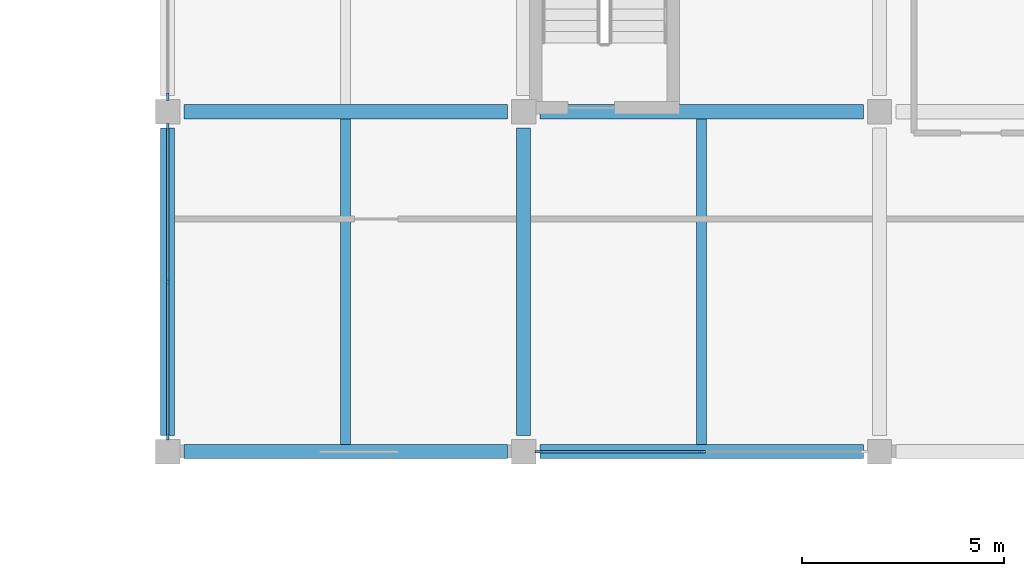
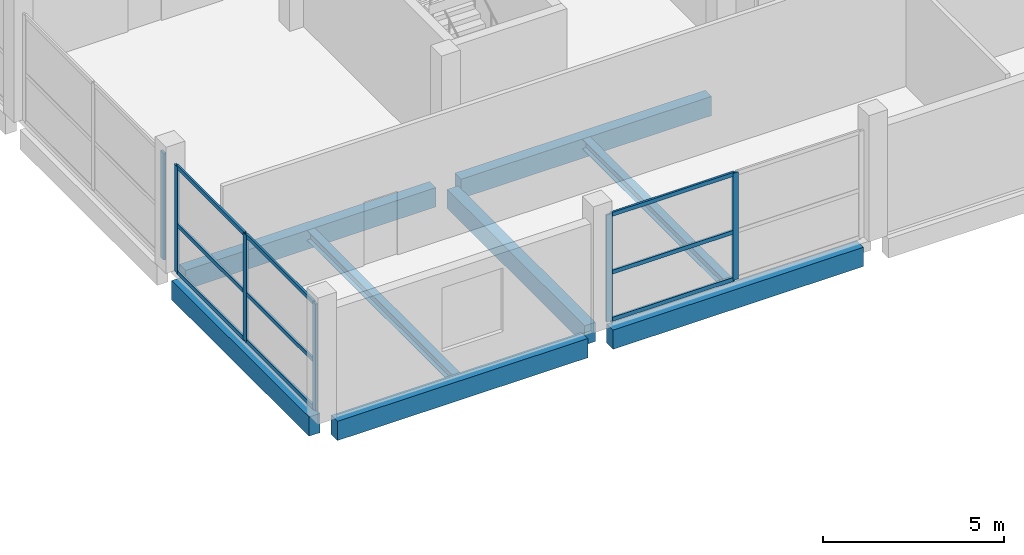
# One storey, part 3 of 38: 15 members, 8 beams, 3 elements without a shape of their own.
"""IFC4 building model written with IfcOpenShell, lengths in metres."""

from ifc_helpers import new_model, si_unit, direction, frame, origin, origin_2d, place, context, subcontext, project, spatial, rectangle, i_section, extrude, material, material_profile, profile_set, type_object, element, aggregate, save


model = new_model("IFC4")

# Units and contexts
model_context = context("Model", 3, precision=1e-05, world=origin(), true_north=direction((0.0, 1.0)))
body_context = subcontext(model_context, "Body", "Model", "MODEL_VIEW")
ifc_project = project(units=[si_unit("LENGTHUNIT", "METRE"), si_unit("AREAUNIT", "SQUARE_METRE"), si_unit("VOLUMEUNIT", "CUBIC_METRE"), si_unit("PLANEANGLEUNIT", "RADIAN"), si_unit("MASSUNIT", "GRAM", prefix="KILO")], contexts=[model_context])

# Site, building, storey
site_placement = place(None, origin())
site = spatial("IfcSite", under=ifc_project, at=site_placement, CompositionType="ELEMENT")
building_placement = place(site_placement, origin())
building = spatial("IfcBuilding", under=site, at=building_placement, Name="Brinegate Botanical Conservatory", CompositionType="ELEMENT")
storey_placement = place(building_placement, frame((0.0, 0.0, 10.199951171875)))
storey = spatial("IfcBuildingStorey", under=building, at=storey_placement, Name="L03", CompositionType="ELEMENT", Elevation=10.199951171875)

# Beams
ifc_material_1 = material(Name="Concrete C40/50", Category="concrete")
ifc_material_profile_1 = material_profile(ifc_material_1, rectangle(XDim=0.35009765625, YDim=0.64990234375, at=origin_2d()), Name="RC BM 350x650")
ifc_profile_set_1 = profile_set([ifc_material_profile_1], Name="Concrete C40/50")
beam_type_1 = type_object("IfcBeamType", Name="Beam_BM-V3", PredefinedType="BEAM", material=ifc_profile_set_1)
for number, where, z_axis, x_axis, name in (
    (1, (51.199951171875, 86.800048828125, -0.544921875), (1.0, 0.0, 0.0), (0.0, 1.0, 0.0), "Beam BM-V3 L03 L:7-8"),
    (2, (60.0, 86.800048828125, -0.544921875), (1.0, 0.0, 0.0), (0.0, 1.0, 0.0), "Beam BM-V3 L03 L:8-9"),
    (3, (51.199951171875, 95.199951171875, -0.544921875), (1.0, 0.0, 0.0), (0.0, 1.0, 0.0), "Beam BM-V3 L03 M:7-8"),
    (4, (60.0, 95.199951171875, -0.544921875), (1.0, 0.0, 0.0), (0.0, 1.0, 0.0), "Beam BM-V3 L03 M:8-9"),
):
    element("IfcBeam", number, at=place(storey_placement, frame(where, z_axis=z_axis, x_axis=x_axis)), inside=storey, type_object=beam_type_1, Name=name, PredefinedType="BEAM", context=body_context, shape_type="SweptSolid", body=[
        extrude(rectangle(XDim=0.35009765625, YDim=0.64990234375, at=origin_2d()), origin(), (0.0, 0.0, 1.0), 8.0),
    ])
for number, where, z_axis, x_axis, name in (
    (5, (50.800048828125, 87.199951171875, -0.544921875), (0.0, 1.0, 0.0), (-1.0, 0.0, 0.0), "Beam BM-V3 L03 7:L-M"),
    (6, (59.60009765625, 87.199951171875, -0.544921875), (0.0, 1.0, 0.0), (-1.0, 0.0, 0.0), "Beam BM-V3 L03 8:L-M"),
):
    element("IfcBeam", number, at=place(storey_placement, frame(where, z_axis=z_axis, x_axis=x_axis)), inside=storey, type_object=beam_type_1, Name=name, PredefinedType="BEAM", context=body_context, shape_type="SweptSolid", body=[
        extrude(rectangle(XDim=0.35009765625, YDim=0.64990234375, at=origin_2d()), origin(), (0.0, 0.0, 1.0), 7.60009765625),
    ])
ifc_material_2 = material(Name="Structural steel Q355B / S355", Category="steel")
ifc_material_profile_2 = material_profile(ifc_material_2, i_section(OverallWidth=0.25, OverallDepth=0.340087890625, WebThickness=0.009033203125, FlangeThickness=0.013916015625, at=origin_2d()), Name="HM 340x250x9x14")
ifc_profile_set_2 = profile_set([ifc_material_profile_2], Name="Structural steel Q355B / S355")
beam_type_2 = type_object("IfcBeamType", Name="Beam_JS-S5", PredefinedType="JOIST", material=ifc_profile_set_2)
for number, where, z_axis, x_axis, name in (
    (7, (55.199951171875, 86.97509765625, -0.389892578125), (0.0, 1.0, 0.0), (-1.0, 0.0, 0.0), "Floor joist JS-S5 L03 bay 7.11"),
    (8, (64.0, 86.97509765625, -0.389892578125), (0.0, 1.0, 0.0), (-1.0, 0.0, 0.0), "Floor joist JS-S5 L03 bay 8.11"),
):
    element("IfcBeam", number, at=place(storey_placement, frame(where, z_axis=z_axis, x_axis=x_axis)), inside=storey, type_object=beam_type_2, Name=name, PredefinedType="JOIST", context=body_context, shape_type="SweptSolid", body=[
        extrude(i_section(OverallWidth=0.25, OverallDepth=0.340087890625, WebThickness=0.009033203125, FlangeThickness=0.013916015625, at=origin_2d()), origin(), (0.0, 0.0, 1.0), 8.0498046875),
    ])

# Curtain wall, members
ifc_material_3 = material(Name="Thermally broken anodised aluminium AW-6063-T6", Category="aluminium")
curtain_wall_type = type_object("IfcCurtainWallType", Name="CW_CW-V3", PredefinedType="USERDEFINED", material=ifc_material_3)
curtain_wall_1_placement = place(storey_placement, origin())
curtain_wall_1 = element("IfcCurtainWall", 9, at=curtain_wall_1_placement, inside=storey, type_object=curtain_wall_type, Name="Visitor south court curtain wall L03.2", ObjectType="FACTORY CURTAIN WALL", PredefinedType="USERDEFINED")
ifc_material_profile_3 = material_profile(ifc_material_3, rectangle(XDim=0.06494140625, YDim=0.179931640625, at=origin_2d()), Name="ALUM MULLION 65x180")
ifc_profile_set_3 = profile_set([ifc_material_profile_3], Name="Thermally broken anodised aluminium AW-6063-T6")
member_type_1 = type_object("IfcMemberType", Name="Member_ML-02", PredefinedType="MULLION", material=ifc_profile_set_3)
member_1_placement = place(storey_placement, frame((64.0, 86.800048828125, 0.0), z_axis=(0.0, 0.0, 1.0), x_axis=(0.0, -1.0, 0.0)))
member_1 = element("IfcMember", 10, at=member_1_placement, type_object=member_type_1, Name="CW-V3 mullion 2", PredefinedType="MULLION", context=body_context, shape_type="SweptSolid", body=[
    extrude(rectangle(XDim=0.06494140625, YDim=0.179931640625, at=origin_2d()), origin(), (0.0, 0.0, 1.0), 3.610107421875),
])
member_2_placement = place(storey_placement, frame((59.972412109375, 86.800048828125, 0.0), z_axis=(0.0, 0.0, 1.0), x_axis=(0.0, -1.0, 0.0)))
member_2 = element("IfcMember", 11, at=member_2_placement, type_object=member_type_1, Name="CW-V3 mullion 3", PredefinedType="MULLION", context=body_context, shape_type="SweptSolid", body=[
    extrude(rectangle(XDim=0.06494140625, YDim=0.179931640625, at=origin_2d()), origin(), (0.0, 0.0, 1.0), 3.610107421875),
])

curtain_wall_2_placement = place(storey_placement, origin())
curtain_wall_2 = element("IfcCurtainWall", 12, at=curtain_wall_2_placement, inside=storey, type_object=curtain_wall_type, Name="Visitor west forecourt curtain wall L03.1", ObjectType="FACTORY CURTAIN WALL", PredefinedType="USERDEFINED")
member_3_placement = place(storey_placement, frame((50.800048828125, 87.172607421875, 0.0), z_axis=(0.0, 0.0, 1.0), x_axis=(-1.0, 0.0, 0.0)))
member_3 = element("IfcMember", 13, at=member_3_placement, type_object=member_type_1, Name="CW-V3 mullion 1", PredefinedType="MULLION", context=body_context, shape_type="SweptSolid", body=[
    extrude(rectangle(XDim=0.06494140625, YDim=0.179931640625, at=origin_2d()), origin(), (0.0, 0.0, 1.0), 3.610107421875),
])
member_4_placement = place(storey_placement, frame((50.800048828125, 91.0, 0.0), z_axis=(0.0, 0.0, 1.0), x_axis=(-1.0, 0.0, 0.0)))
member_4 = element("IfcMember", 14, at=member_4_placement, type_object=member_type_1, Name="CW-V3 mullion 2", PredefinedType="MULLION", context=body_context, shape_type="SweptSolid", body=[
    extrude(rectangle(XDim=0.06494140625, YDim=0.179931640625, at=origin_2d()), origin(), (0.0, 0.0, 1.0), 3.610107421875),
])
member_5_placement = place(storey_placement, frame((50.800048828125, 94.827392578125, 0.0), z_axis=(0.0, 0.0, 1.0), x_axis=(-1.0, 0.0, 0.0)))
member_5 = element("IfcMember", 15, at=member_5_placement, type_object=member_type_1, Name="CW-V3 mullion 3", PredefinedType="MULLION", context=body_context, shape_type="SweptSolid", body=[
    extrude(rectangle(XDim=0.06494140625, YDim=0.179931640625, at=origin_2d()), origin(), (0.0, 0.0, 1.0), 3.610107421875),
])

# Curtain wall, member
curtain_wall_3_placement = place(storey_placement, origin())
curtain_wall_3 = element("IfcCurtainWall", 16, at=curtain_wall_3_placement, inside=storey, type_object=curtain_wall_type, Name="Visitor west forecourt curtain wall L03.2", ObjectType="FACTORY CURTAIN WALL", PredefinedType="USERDEFINED")
member_6_placement = place(storey_placement, frame((50.800048828125, 95.572509765625, 0.0), z_axis=(0.0, 0.0, 1.0), x_axis=(-1.0, 0.0, 0.0)))
member_6 = element("IfcMember", 17, at=member_6_placement, type_object=member_type_1, Name="CW-V3 mullion 1", PredefinedType="MULLION", context=body_context, shape_type="SweptSolid", body=[
    extrude(rectangle(XDim=0.06494140625, YDim=0.179931640625, at=origin_2d()), origin(), (0.0, 0.0, 1.0), 3.610107421875),
])
aggregate(curtain_wall_3, [member_6])

# Member
ifc_material_profile_4 = material_profile(ifc_material_3, rectangle(XDim=0.06494140625, YDim=0.135009765625, at=origin_2d()), Name="ALUM TRANSOM 65x135")
ifc_profile_set_4 = profile_set([ifc_material_profile_4], Name="Thermally broken anodised aluminium AW-6063-T6")
member_type_2 = type_object("IfcMemberType", Name="Member_TR-02", PredefinedType="USERDEFINED", material=ifc_profile_set_4)
member_7_placement = place(storey_placement, frame((63.967529296875, 86.800048828125, 0.032470703125), z_axis=(-1.0, 0.0, 0.0), x_axis=(0.0, -1.0, 0.0)))
member_7 = element("IfcMember", 18, at=member_7_placement, type_object=member_type_2, Name="CW-V3 transom 2.1", ObjectType="TRANSOM", PredefinedType="USERDEFINED", context=body_context, shape_type="SweptSolid", body=[
    extrude(rectangle(XDim=0.06494140625, YDim=0.135009765625, at=origin_2d()), origin(), (0.0, 0.0, 1.0), 3.962646484375),
])

member_8_placement = place(storey_placement, frame((63.967529296875, 86.800048828125, 1.625), z_axis=(-1.0, 0.0, 0.0), x_axis=(0.0, -1.0, 0.0)))
member_8 = element("IfcMember", 19, at=member_8_placement, type_object=member_type_2, Name="CW-V3 transom 2.2", ObjectType="TRANSOM", PredefinedType="USERDEFINED", context=body_context, shape_type="SweptSolid", body=[
    extrude(rectangle(XDim=0.06494140625, YDim=0.135009765625, at=origin_2d()), origin(), (0.0, 0.0, 1.0), 3.962646484375),
])

member_9_placement = place(storey_placement, frame((63.967529296875, 86.800048828125, 3.57763671875), z_axis=(-1.0, 0.0, 0.0), x_axis=(0.0, -1.0, 0.0)))
member_9 = element("IfcMember", 20, at=member_9_placement, type_object=member_type_2, Name="CW-V3 transom 2.3", ObjectType="TRANSOM", PredefinedType="USERDEFINED", context=body_context, shape_type="SweptSolid", body=[
    extrude(rectangle(XDim=0.06494140625, YDim=0.135009765625, at=origin_2d()), origin(), (0.0, 0.0, 1.0), 3.962646484375),
])

aggregate(curtain_wall_1, [member_1, member_2, member_7, member_8, member_9])

member_10_placement = place(storey_placement, frame((50.800048828125, 87.205078125, 0.032470703125), z_axis=(0.0, 1.0, 0.0), x_axis=(-1.0, 0.0, 0.0)))
member_10 = element("IfcMember", 21, at=member_10_placement, type_object=member_type_2, Name="CW-V3 transom 1.1", ObjectType="TRANSOM", PredefinedType="USERDEFINED", context=body_context, shape_type="SweptSolid", body=[
    extrude(rectangle(XDim=0.06494140625, YDim=0.135009765625, at=origin_2d()), origin(), (0.0, 0.0, 1.0), 3.762451171875),
])

member_11_placement = place(storey_placement, frame((50.800048828125, 87.205078125, 1.625), z_axis=(0.0, 1.0, 0.0), x_axis=(-1.0, 0.0, 0.0)))
member_11 = element("IfcMember", 22, at=member_11_placement, type_object=member_type_2, Name="CW-V3 transom 1.2", ObjectType="TRANSOM", PredefinedType="USERDEFINED", context=body_context, shape_type="SweptSolid", body=[
    extrude(rectangle(XDim=0.06494140625, YDim=0.135009765625, at=origin_2d()), origin(), (0.0, 0.0, 1.0), 3.762451171875),
])

member_12_placement = place(storey_placement, frame((50.800048828125, 87.205078125, 3.57763671875), z_axis=(0.0, 1.0, 0.0), x_axis=(-1.0, 0.0, 0.0)))
member_12 = element("IfcMember", 23, at=member_12_placement, type_object=member_type_2, Name="CW-V3 transom 1.3", ObjectType="TRANSOM", PredefinedType="USERDEFINED", context=body_context, shape_type="SweptSolid", body=[
    extrude(rectangle(XDim=0.06494140625, YDim=0.135009765625, at=origin_2d()), origin(), (0.0, 0.0, 1.0), 3.762451171875),
])

member_13_placement = place(storey_placement, frame((50.800048828125, 91.032470703125, 0.032470703125), z_axis=(0.0, 1.0, 0.0), x_axis=(-1.0, 0.0, 0.0)))
member_13 = element("IfcMember", 24, at=member_13_placement, type_object=member_type_2, Name="CW-V3 transom 2.1", ObjectType="TRANSOM", PredefinedType="USERDEFINED", context=body_context, shape_type="SweptSolid", body=[
    extrude(rectangle(XDim=0.06494140625, YDim=0.135009765625, at=origin_2d()), origin(), (0.0, 0.0, 1.0), 3.762451171875),
])

member_14_placement = place(storey_placement, frame((50.800048828125, 91.032470703125, 1.625), z_axis=(0.0, 1.0, 0.0), x_axis=(-1.0, 0.0, 0.0)))
member_14 = element("IfcMember", 25, at=member_14_placement, type_object=member_type_2, Name="CW-V3 transom 2.2", ObjectType="TRANSOM", PredefinedType="USERDEFINED", context=body_context, shape_type="SweptSolid", body=[
    extrude(rectangle(XDim=0.06494140625, YDim=0.135009765625, at=origin_2d()), origin(), (0.0, 0.0, 1.0), 3.762451171875),
])

member_15_placement = place(storey_placement, frame((50.800048828125, 91.032470703125, 3.57763671875), z_axis=(0.0, 1.0, 0.0), x_axis=(-1.0, 0.0, 0.0)))
member_15 = element("IfcMember", 26, at=member_15_placement, type_object=member_type_2, Name="CW-V3 transom 2.3", ObjectType="TRANSOM", PredefinedType="USERDEFINED", context=body_context, shape_type="SweptSolid", body=[
    extrude(rectangle(XDim=0.06494140625, YDim=0.135009765625, at=origin_2d()), origin(), (0.0, 0.0, 1.0), 3.762451171875),
])

aggregate(curtain_wall_2, [member_3, member_4, member_5, member_10, member_11, member_12, member_13, member_14, member_15])

save(model, "model.ifc")
